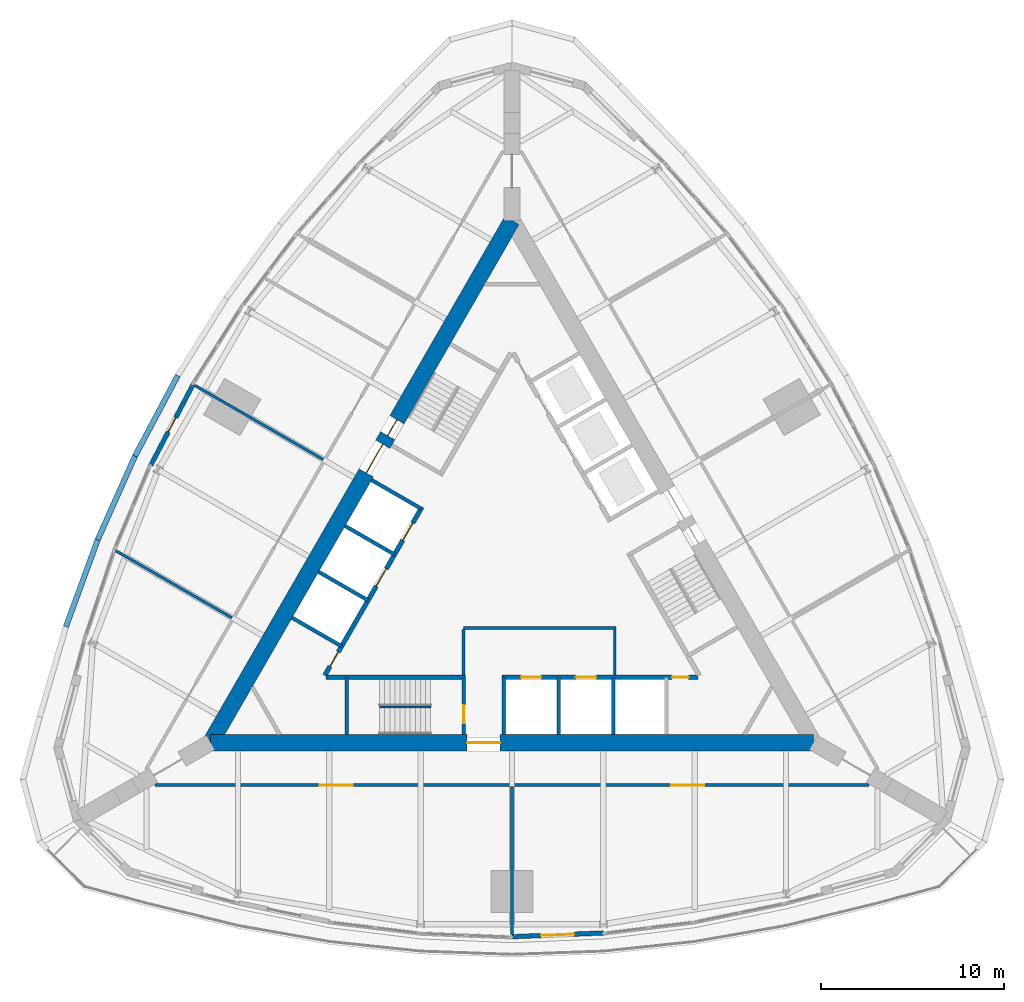
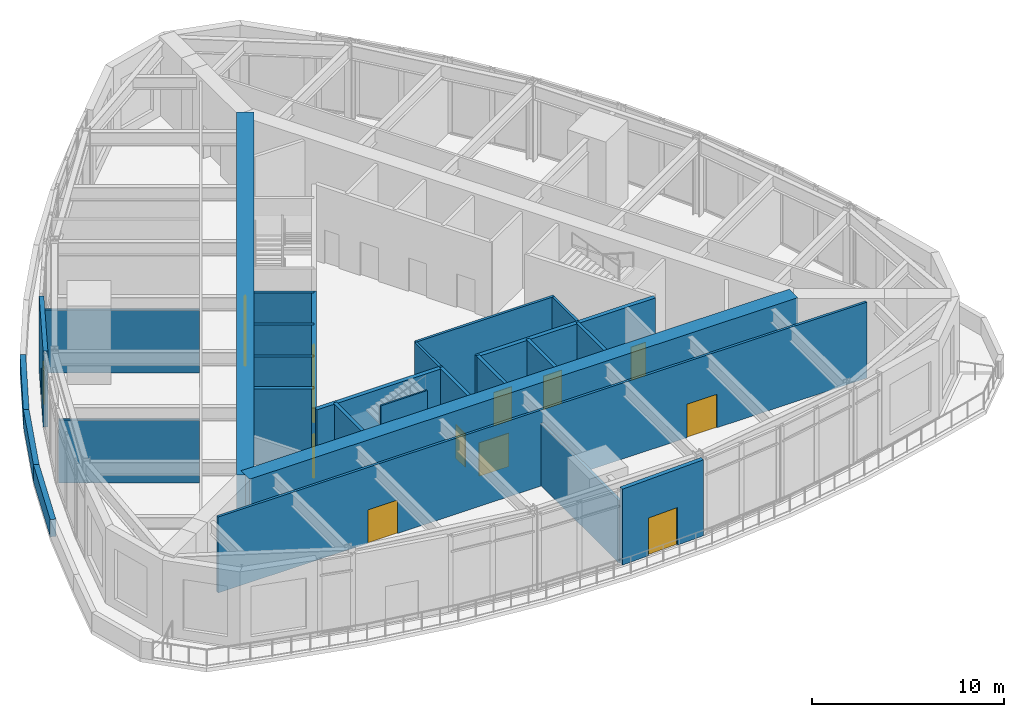
# One storey, part 8 of 13: 27 walls, 14 doors, 14 openings.
"""IFC4 building model written with IfcOpenShell, lengths in metres."""

from ifc_helpers import new_model, si_unit, direction, frame, frame_2d, origin, place, context, subcontext, project, spatial, rectangle, extrude, material, layer, layer_set, type_object, element, fill, save


model = new_model("IFC4")

# Units and contexts
model_context = context("Model", 3, precision=1e-05, world=origin(), true_north=direction((0.0, 1.0)))
body_context = subcontext(model_context, "Body", "Model", "MODEL_VIEW")
ifc_project = project(units=[si_unit("LENGTHUNIT", "METRE"), si_unit("AREAUNIT", "SQUARE_METRE"), si_unit("VOLUMEUNIT", "CUBIC_METRE"), si_unit("PLANEANGLEUNIT", "RADIAN"), si_unit("MASSUNIT", "GRAM", prefix="KILO")], contexts=[model_context])

# Site, building, storey
site_placement = place(None, origin())
site = spatial("IfcSite", under=ifc_project, at=site_placement, CompositionType="ELEMENT")
building_placement = place(site_placement, origin())
building = spatial("IfcBuilding", under=site, at=building_placement, Name="Trikona Tower", CompositionType="ELEMENT")
storey_placement = place(building_placement, frame((0.0, 0.0, 195.89990234375)))
storey = spatial("IfcBuildingStorey", under=building, at=storey_placement, Name="L52", CompositionType="ELEMENT", Elevation=195.89990234375)

# Wall, opening, door
ifc_material_1 = material(Name="Concrete f'c 10000 psi", Category="concrete")
ifc_layer_1 = layer(ifc_material_1, 0.89990234375)
ifc_layer_set_1 = layer_set([ifc_layer_1], Name="Core wall 900")
wall_type_1 = type_object("IfcWallType", Name="Core wall 900", PredefinedType="SHEAR", material=ifc_layer_set_1)
wall_1_placement = place(storey_placement, frame((-16.5, -9.5263671875, 0.0), z_axis=(0.0, 0.0, 1.0), x_axis=(1.0, 0.0, 0.0)))
wall_1 = element("IfcWall", 1, at=wall_1_placement, inside=storey, type_object=wall_type_1, Name="Core wall A", PredefinedType="SHEAR", context=body_context, shape_type="SweptSolid", body=[
    extrude(rectangle(XDim=33.0, YDim=0.89990234375, at=frame_2d((16.5, 0.0))), origin(), (0.0, 0.0, 1.0), 5.0),
])
opening_1_placement = place(wall_1_placement, frame((14.050048828125, 0.0, 0.0)))
opening_1 = element("IfcOpeningElement", 2, at=opening_1_placement, cuts=wall_1, Name="Opening D6", PredefinedType="OPENING", context=body_context, shape_type="SweptSolid", body=[
    extrude(rectangle(XDim=1.800048828125, YDim=2.1298828125, at=frame_2d((0.89990234375, 1.06494140625))), frame((0.0, 0.4599609375, 0.0), z_axis=(0.0, -1.0, 0.0), x_axis=(1.0, 0.0, 0.0)), (0.0, 0.0, 1.0), 0.919921875),
])
ifc_material_2 = material(Name="Hollow metal door and frame", Category="steel")
door_type_1 = type_object("IfcDoorType", Name="Lobby door pair 1800x2130", OperationType="DOUBLE_DOOR_SINGLE_SWING", PredefinedType="DOOR", material=ifc_material_2)
door_1_placement = place(opening_1_placement, origin())
door_1 = element("IfcDoor", 3, at=door_1_placement, inside=storey, type_object=door_type_1, Name="Fire service lift lobby door", OperationType="DOUBLE_DOOR_SINGLE_SWING", OverallHeight=2.1298828125, OverallWidth=1.800048828125, PredefinedType="DOOR", context=body_context, shape_type="SweptSolid", body=[
    extrude(rectangle(XDim=1.800048828125, YDim=2.1298828125, at=frame_2d((0.89990234375, 1.06494140625))), frame((0.0, 0.02490234375, 0.0), z_axis=(0.0, -1.0, 0.0), x_axis=(1.0, 0.0, 0.0)), (0.0, 0.0, 1.0), 0.050048828125),
])
fill(opening_1, door_1)

# Wall, openings, doors
wall_2_placement = place(storey_placement, frame((0.0, 19.052490234375, 0.0), z_axis=(0.0, 0.0, 1.0), x_axis=(-0.499999749417, -0.866025548458, 0.0)))
wall_2 = element("IfcWall", 4, at=wall_2_placement, inside=storey, type_object=wall_type_1, Name="Core wall C", PredefinedType="SHEAR", context=body_context, shape_type="SweptSolid", body=[
    extrude(rectangle(XDim=33.0, YDim=0.89990234375, at=frame_2d((16.5, 0.0))), origin(), (0.0, 0.0, 1.0), 5.0),
])
opening_2_placement = place(wall_2_placement, frame((14.14990234375, 0.0, 0.0)))
opening_2 = element("IfcOpeningElement", 5, at=opening_2_placement, cuts=wall_2, Name="Opening D6", PredefinedType="OPENING", context=body_context, shape_type="SweptSolid", body=[
    extrude(rectangle(XDim=1.800048828125, YDim=2.1298828125, at=frame_2d((0.89990234375, 1.06494140625))), frame((0.0, 0.4599609375, 0.0), z_axis=(0.0, -1.0, 0.0), x_axis=(1.0, 0.0, 0.0)), (0.0, 0.0, 1.0), 0.919921875),
])
opening_3_placement = place(wall_2_placement, frame((12.60009765625, 0.0, 0.0)))
opening_3 = element("IfcOpeningElement", 6, at=opening_3_placement, cuts=wall_2, Name="Opening D5", PredefinedType="OPENING", context=body_context, shape_type="SweptSolid", body=[
    extrude(rectangle(XDim=1.0, YDim=2.1298828125, at=frame_2d((0.5, 1.06494140625))), frame((0.0, 0.4599609375, 0.0), z_axis=(0.0, -1.0, 0.0), x_axis=(1.0, 0.0, 0.0)), (0.0, 0.0, 1.0), 0.919921875),
])
door_2_placement = place(opening_2_placement, origin())
door_2 = element("IfcDoor", 7, at=door_2_placement, inside=storey, type_object=door_type_1, Name="Lift lobby door C", OperationType="DOUBLE_DOOR_SINGLE_SWING", OverallHeight=2.1298828125, OverallWidth=1.800048828125, PredefinedType="DOOR", context=body_context, shape_type="SweptSolid", body=[
    extrude(rectangle(XDim=1.800048828125, YDim=2.1298828125, at=frame_2d((0.89990234375, 1.06494140625))), frame((0.0, 0.02490234375, 0.0), z_axis=(0.0, -1.0, 0.0), x_axis=(1.0, 0.0, 0.0)), (0.0, 0.0, 1.0), 0.050048828125),
])
fill(opening_2, door_2)
ifc_material_3 = material(Name="Hollow metal door and frame", Category="steel")
door_type_2 = type_object("IfcDoorType", Name="Stair door 1000x2130", OperationType="SINGLE_SWING_LEFT", PredefinedType="DOOR", material=ifc_material_3)
door_3_placement = place(opening_3_placement, origin())
door_3 = element("IfcDoor", 8, at=door_3_placement, inside=storey, type_object=door_type_2, Name="Stair C door", OperationType="SINGLE_SWING_RIGHT", OverallHeight=2.1298828125, OverallWidth=1.0, PredefinedType="DOOR", context=body_context, shape_type="SweptSolid", body=[
    extrude(rectangle(XDim=1.0, YDim=2.1298828125, at=frame_2d((0.5, 1.06494140625))), frame((0.0, 0.02490234375, 0.0), z_axis=(0.0, -1.0, 0.0), x_axis=(1.0, 0.0, 0.0)), (0.0, 0.0, 1.0), 0.050048828125),
])
fill(opening_3, door_3)

ifc_material_4 = material(Name="Metal stud and gypsum board, 1-hour", Category="gypsum")
ifc_layer_2 = layer(ifc_material_4, 0.14990234375)
ifc_layer_set_2 = layer_set([ifc_layer_2], Name="Corridor wall 150")
wall_type_2 = type_object("IfcWallType", Name="Corridor wall 150", PredefinedType="PARTITIONING", material=ifc_layer_set_2)
wall_3_placement = place(storey_placement, frame((-19.527099609375, -11.851318359375, 0.0), z_axis=(0.0, 0.0, 1.0), x_axis=(1.0, 0.0, 0.0)))
wall_3 = element("IfcWall", 9, at=wall_3_placement, inside=storey, type_object=wall_type_2, Name="Corridor wall L52-1", PredefinedType="PARTITIONING", context=body_context, shape_type="SweptSolid", body=[
    extrude(rectangle(XDim=39.05419921875, YDim=0.14990234375, at=frame_2d((19.527099609375, 0.0))), origin(), (0.0, 0.0, 1.0), 4.835205078125),
])
opening_4_placement = place(wall_3_placement, frame((9.013427734375, 0.0, 0.0)))
opening_4 = element("IfcOpeningElement", 10, at=opening_4_placement, cuts=wall_3, Name="Opening D4", PredefinedType="OPENING", context=body_context, shape_type="SweptSolid", body=[
    extrude(rectangle(XDim=1.800048828125, YDim=2.1298828125, at=frame_2d((0.89990234375, 1.06494140625))), frame((0.0, 0.0849609375, 0.0), z_axis=(0.0, -1.0, 0.0), x_axis=(1.0, 0.0, 0.0)), (0.0, 0.0, 1.0), 0.169921875),
])
opening_5_placement = place(wall_3_placement, frame((28.240478515625, 0.0, 0.0)))
opening_5 = element("IfcOpeningElement", 11, at=opening_5_placement, cuts=wall_3, Name="Opening D4", PredefinedType="OPENING", context=body_context, shape_type="SweptSolid", body=[
    extrude(rectangle(XDim=1.800048828125, YDim=2.1298828125, at=frame_2d((0.89990234375, 1.06494140625))), frame((0.0, 0.0849609375, 0.0), z_axis=(0.0, -1.0, 0.0), x_axis=(1.0, 0.0, 0.0)), (0.0, 0.0, 1.0), 0.169921875),
])
ifc_material_5 = material(Name="Steel door frame with solid-core timber leaf", Category="steel")
door_type_3 = type_object("IfcDoorType", Name="Assembly door pair 1800x2130", OperationType="DOUBLE_DOOR_SINGLE_SWING", PredefinedType="DOOR", material=ifc_material_5)
door_4_placement = place(opening_4_placement, origin())
door_4 = element("IfcDoor", 12, at=door_4_placement, inside=storey, type_object=door_type_3, Name="Door Spa reception", OperationType="DOUBLE_DOOR_SINGLE_SWING", OverallHeight=2.1298828125, OverallWidth=1.800048828125, PredefinedType="DOOR", context=body_context, shape_type="SweptSolid", body=[
    extrude(rectangle(XDim=1.800048828125, YDim=2.1298828125, at=frame_2d((0.89990234375, 1.06494140625))), frame((0.0, 0.02490234375, 0.0), z_axis=(0.0, -1.0, 0.0), x_axis=(1.0, 0.0, 0.0)), (0.0, 0.0, 1.0), 0.050048828125),
])
fill(opening_4, door_4)
door_5_placement = place(opening_5_placement, origin())
door_5 = element("IfcDoor", 13, at=door_5_placement, inside=storey, type_object=door_type_3, Name="Door Relaxation lounge", OperationType="DOUBLE_DOOR_SINGLE_SWING", OverallHeight=2.1298828125, OverallWidth=1.800048828125, PredefinedType="DOOR", context=body_context, shape_type="SweptSolid", body=[
    extrude(rectangle(XDim=1.800048828125, YDim=2.1298828125, at=frame_2d((0.89990234375, 1.06494140625))), frame((0.0, 0.02490234375, 0.0), z_axis=(0.0, -1.0, 0.0), x_axis=(1.0, 0.0, 0.0)), (0.0, 0.0, 1.0), 0.050048828125),
])
fill(opening_5, door_5)

# Wall
ifc_material_6 = material(Name="Concrete f'c 8000 psi", Category="concrete")
ifc_layer_3 = layer(ifc_material_6, 0.25)
ifc_layer_set_3 = layer_set([ifc_layer_3], Name="Hub wall 250")
wall_type_3 = type_object("IfcWallType", Name="Hub wall 250", PredefinedType="SOLIDWALL", material=ifc_layer_set_3)
wall_4_placement = place(storey_placement, frame((-10.182861328125, -5.951416015625, 0.0), z_axis=(0.0, 0.0, 1.0), x_axis=(1.0, 0.0, 0.0)))
element("IfcWall", 14, at=wall_4_placement, inside=storey, type_object=wall_type_3, Name="Lift lobby wall A1", PredefinedType="SOLIDWALL", context=body_context, shape_type="SweptSolid", body=[
    extrude(rectangle(XDim=7.6328125, YDim=0.25, at=frame_2d((3.81640625, 0.0))), origin(), (0.0, 0.0, 1.0), 4.835205078125),
])

# Wall, openings, doors
wall_5_placement = place(storey_placement, frame((-0.550048828125, -5.951416015625, 0.0), z_axis=(0.0, 0.0, 1.0), x_axis=(1.0, 0.0, 0.0)))
wall_5 = element("IfcWall", 15, at=wall_5_placement, inside=storey, type_object=wall_type_3, Name="Lift lobby wall A2", PredefinedType="SOLIDWALL", context=body_context, shape_type="SweptSolid", body=[
    extrude(rectangle(XDim=10.73291015625, YDim=0.25, at=frame_2d((5.366455078125, 0.0))), origin(), (0.0, 0.0, 1.0), 4.835205078125),
])
opening_6_placement = place(wall_5_placement, frame((9.31396484375, 0.0, 0.0)))
opening_6 = element("IfcOpeningElement", 16, at=opening_6_placement, cuts=wall_5, Name="Opening D14", PredefinedType="OPENING", context=body_context, shape_type="SweptSolid", body=[
    extrude(rectangle(XDim=0.89990234375, YDim=2.1298828125, at=frame_2d((0.449951171875, 1.06494140625))), frame((0.0, 0.135009765625, 0.0), z_axis=(0.0, -1.0, 0.0), x_axis=(1.0, 0.0, 0.0)), (0.0, 0.0, 1.0), 0.27001953125),
])
opening_7_placement = place(wall_5_placement, frame((1.050048828125, 0.0, 0.0)))
opening_7 = element("IfcOpeningElement", 17, at=opening_7_placement, cuts=wall_5, Name="Opening LD", PredefinedType="OPENING", context=body_context, shape_type="SweptSolid", body=[
    extrude(rectangle(XDim=1.10009765625, YDim=2.1298828125, at=frame_2d((0.550048828125, 1.06494140625))), frame((0.0, 0.135009765625, 0.0), z_axis=(0.0, -1.0, 0.0), x_axis=(1.0, 0.0, 0.0)), (0.0, 0.0, 1.0), 0.27001953125),
])
opening_8_placement = place(wall_5_placement, frame((4.050048828125, 0.0, 0.0)))
opening_8 = element("IfcOpeningElement", 18, at=opening_8_placement, cuts=wall_5, Name="Opening LD", PredefinedType="OPENING", context=body_context, shape_type="SweptSolid", body=[
    extrude(rectangle(XDim=1.10009765625, YDim=2.1298828125, at=frame_2d((0.550048828125, 1.06494140625))), frame((0.0, 0.135009765625, 0.0), z_axis=(0.0, -1.0, 0.0), x_axis=(1.0, 0.0, 0.0)), (0.0, 0.0, 1.0), 0.27001953125),
])
ifc_material_7 = material(Name="Stainless steel lift landing door", Category="steel")
door_type_4 = type_object("IfcDoorType", Name="Lift landing door 1100x2130", OperationType="DOUBLE_DOOR_SLIDING", PredefinedType="USERDEFINED", material=ifc_material_7)
door_6_placement = place(opening_7_placement, origin())
door_6 = element("IfcDoor", 19, at=door_6_placement, inside=storey, type_object=door_type_4, Name="Lift landing door FF1", ObjectType="LIFT LANDING DOOR", OperationType="DOUBLE_DOOR_SLIDING", OverallHeight=2.1298828125, OverallWidth=1.10009765625, PredefinedType="USERDEFINED", context=body_context, shape_type="SweptSolid", body=[
    extrude(rectangle(XDim=1.10009765625, YDim=2.1298828125, at=frame_2d((0.550048828125, 1.06494140625))), frame((0.0, 0.02490234375, 0.0), z_axis=(0.0, -1.0, 0.0), x_axis=(1.0, 0.0, 0.0)), (0.0, 0.0, 1.0), 0.050048828125),
])
fill(opening_7, door_6)
door_7_placement = place(opening_8_placement, origin())
door_7 = element("IfcDoor", 20, at=door_7_placement, inside=storey, type_object=door_type_4, Name="Lift landing door FF2", ObjectType="LIFT LANDING DOOR", OperationType="DOUBLE_DOOR_SLIDING", OverallHeight=2.1298828125, OverallWidth=1.10009765625, PredefinedType="USERDEFINED", context=body_context, shape_type="SweptSolid", body=[
    extrude(rectangle(XDim=1.10009765625, YDim=2.1298828125, at=frame_2d((0.550048828125, 1.06494140625))), frame((0.0, 0.02490234375, 0.0), z_axis=(0.0, -1.0, 0.0), x_axis=(1.0, 0.0, 0.0)), (0.0, 0.0, 1.0), 0.050048828125),
])
fill(opening_8, door_7)
ifc_material_8 = material(Name="Hollow metal door and frame", Category="steel")
door_type_5 = type_object("IfcDoorType", Name="Service room door 900x2130", OperationType="SINGLE_SWING_LEFT", PredefinedType="DOOR", material=ifc_material_8)
door_8_placement = place(opening_6_placement, origin())
door_8 = element("IfcDoor", 21, at=door_8_placement, inside=storey, type_object=door_type_5, Name="Door Electrical room ELR", OperationType="SINGLE_SWING_RIGHT", OverallHeight=2.1298828125, OverallWidth=0.89990234375, PredefinedType="DOOR", context=body_context, shape_type="SweptSolid", body=[
    extrude(rectangle(XDim=0.89990234375, YDim=2.1298828125, at=frame_2d((0.449951171875, 1.06494140625))), frame((0.0, 0.02490234375, 0.0), z_axis=(0.0, -1.0, 0.0), x_axis=(1.0, 0.0, 0.0)), (0.0, 0.0, 1.0), 0.050048828125),
])
fill(opening_6, door_8)

wall_6_placement = place(storey_placement, frame((-4.928955078125, 3.365478515625, 0.0), z_axis=(0.0, 0.0, 1.0), x_axis=(-0.499991433582, -0.866030349552, 0.0)))
wall_6 = element("IfcWall", 22, at=wall_6_placement, inside=storey, type_object=wall_type_3, Name="Lift lobby wall C2", PredefinedType="SOLIDWALL", context=body_context, shape_type="SweptSolid", body=[
    extrude(rectangle(XDim=10.633056640625, YDim=0.25, at=frame_2d((5.31640625, 0.0))), origin(), (0.0, 0.0, 1.0), 4.835205078125),
])
opening_9_placement = place(wall_6_placement, frame((9.1640625, 0.0, 0.0)))
opening_9 = element("IfcOpeningElement", 23, at=opening_9_placement, cuts=wall_6, Name="Opening D14", PredefinedType="OPENING", context=body_context, shape_type="SweptSolid", body=[
    extrude(rectangle(XDim=0.89990234375, YDim=2.1298828125, at=frame_2d((0.449951171875, 1.06494140625))), frame((0.0, 0.135009765625, 0.0), z_axis=(0.0, -1.0, 0.0), x_axis=(1.0, 0.0, 0.0)), (0.0, 0.0, 1.0), 0.27001953125),
])
opening_10_placement = place(wall_6_placement, frame((1.0, 0.0, 0.0)))
opening_10 = element("IfcOpeningElement", 24, at=opening_10_placement, cuts=wall_6, Name="Opening LD", PredefinedType="OPENING", context=body_context, shape_type="SweptSolid", body=[
    extrude(rectangle(XDim=1.10009765625, YDim=2.1298828125, at=frame_2d((0.550048828125, 1.06494140625))), frame((0.0, 0.135009765625, 0.0), z_axis=(0.0, -1.0, 0.0), x_axis=(1.0, 0.0, 0.0)), (0.0, 0.0, 1.0), 0.27001953125),
])
opening_11_placement = place(wall_6_placement, frame((3.89990234375, 0.0, 0.0)))
opening_11 = element("IfcOpeningElement", 25, at=opening_11_placement, cuts=wall_6, Name="Opening LD", PredefinedType="OPENING", context=body_context, shape_type="SweptSolid", body=[
    extrude(rectangle(XDim=1.10009765625, YDim=2.1298828125, at=frame_2d((0.550048828125, 1.06494140625))), frame((0.0, 0.135009765625, 0.0), z_axis=(0.0, -1.0, 0.0), x_axis=(1.0, 0.0, 0.0)), (0.0, 0.0, 1.0), 0.27001953125),
])
door_9_placement = place(opening_10_placement, origin())
door_9 = element("IfcDoor", 26, at=door_9_placement, inside=storey, type_object=door_type_4, Name="Lift landing door SH1", ObjectType="LIFT LANDING DOOR", OperationType="DOUBLE_DOOR_SLIDING", OverallHeight=2.1298828125, OverallWidth=1.10009765625, PredefinedType="USERDEFINED", context=body_context, shape_type="SweptSolid", body=[
    extrude(rectangle(XDim=1.10009765625, YDim=2.1298828125, at=frame_2d((0.550048828125, 1.06494140625))), frame((0.0, 0.02490234375, 0.0), z_axis=(0.0, -1.0, 0.0), x_axis=(1.0, 0.0, 0.0)), (0.0, 0.0, 1.0), 0.050048828125),
])
fill(opening_10, door_9)
door_10_placement = place(opening_11_placement, origin())
door_10 = element("IfcDoor", 27, at=door_10_placement, inside=storey, type_object=door_type_4, Name="Lift landing door SH2", ObjectType="LIFT LANDING DOOR", OperationType="DOUBLE_DOOR_SLIDING", OverallHeight=2.1298828125, OverallWidth=1.10009765625, PredefinedType="USERDEFINED", context=body_context, shape_type="SweptSolid", body=[
    extrude(rectangle(XDim=1.10009765625, YDim=2.1298828125, at=frame_2d((0.550048828125, 1.06494140625))), frame((0.0, 0.02490234375, 0.0), z_axis=(0.0, -1.0, 0.0), x_axis=(1.0, 0.0, 0.0)), (0.0, 0.0, 1.0), 0.050048828125),
])
fill(opening_11, door_10)
door_11_placement = place(opening_9_placement, origin())
door_11 = element("IfcDoor", 28, at=door_11_placement, inside=storey, type_object=door_type_5, Name="Door Cleaner's store CLN", OperationType="SINGLE_SWING_RIGHT", OverallHeight=2.1298828125, OverallWidth=0.89990234375, PredefinedType="DOOR", context=body_context, shape_type="SweptSolid", body=[
    extrude(rectangle(XDim=0.89990234375, YDim=2.1298828125, at=frame_2d((0.449951171875, 1.06494140625))), frame((0.0, 0.02490234375, 0.0), z_axis=(0.0, -1.0, 0.0), x_axis=(1.0, 0.0, 0.0)), (0.0, 0.0, 1.0), 0.050048828125),
])
fill(opening_9, door_11)

# Wall, opening, door
ifc_material_9 = material(Name="Insulated precast concrete spandrel panel", Category="concrete")
ifc_layer_4 = layer(ifc_material_9, 0.25)
ifc_layer_set_4 = layer_set([ifc_layer_4], Name="Inner skin wall 250")
wall_type_4 = type_object("IfcWallType", Name="Inner skin wall 250", PredefinedType="STANDARD", material=ifc_layer_set_4)
wall_7_placement = place(storey_placement, frame((-0.005126953125, -20.153076171875, 0.0), z_axis=(0.0, 0.0, 1.0), x_axis=(0.999151909423, 0.041175986892, 0.0)))
wall_7 = element("IfcWall", 29, at=wall_7_placement, inside=storey, type_object=wall_type_4, Name="External wall L52-04", PredefinedType="STANDARD", context=body_context, shape_type="SweptSolid", body=[
    extrude(rectangle(XDim=5.004150390625, YDim=0.25, at=frame_2d((2.501953125, 0.0))), origin(), (0.0, 0.0, 1.0), 4.835205078125),
])
opening_12_placement = place(wall_7_placement, frame((1.60205078125, 0.0, 0.0)))
opening_12 = element("IfcOpeningElement", 30, at=opening_12_placement, cuts=wall_7, Name="Opening D8", PredefinedType="OPENING", context=body_context, shape_type="SweptSolid", body=[
    extrude(rectangle(XDim=1.800048828125, YDim=2.39990234375, at=frame_2d((0.89990234375, 1.199951171875))), frame((0.0, 0.135009765625, 0.0), z_axis=(0.0, -1.0, 0.0), x_axis=(1.0, 0.0, 0.0)), (0.0, 0.0, 1.0), 0.27001953125),
])
ifc_material_10 = material(Name="Aluminium-framed glazed door", Category="aluminium")
door_type_6 = type_object("IfcDoorType", Name="Terrace door pair 1800x2400", OperationType="DOUBLE_DOOR_SINGLE_SWING", PredefinedType="DOOR", material=ifc_material_10)
door_12_placement = place(opening_12_placement, origin())
door_12 = element("IfcDoor", 31, at=door_12_placement, inside=storey, type_object=door_type_6, Name="Terrace door Relaxation lounge", OperationType="DOUBLE_DOOR_SINGLE_SWING", OverallHeight=2.39990234375, OverallWidth=1.800048828125, PredefinedType="DOOR", context=body_context, shape_type="SweptSolid", body=[
    extrude(rectangle(XDim=1.800048828125, YDim=2.39990234375, at=frame_2d((0.89990234375, 1.199951171875))), frame((0.0, 0.02490234375, 0.0), z_axis=(0.0, -1.0, 0.0), x_axis=(1.0, 0.0, 0.0)), (0.0, 0.0, 1.0), 0.050048828125),
])
fill(opening_12, door_12)

wall_8_placement = place(storey_placement, frame((-17.450439453125, 10.080810546875, 0.0), z_axis=(0.0, 0.0, 1.0), x_axis=(-0.463976002579, -0.885847768542, 0.0)))
wall_8 = element("IfcWall", 32, at=wall_8_placement, inside=storey, type_object=wall_type_4, Name="External wall L52-28", PredefinedType="STANDARD", context=body_context, shape_type="SweptSolid", body=[
    extrude(rectangle(XDim=5.004150390625, YDim=0.25, at=frame_2d((2.501953125, 0.0))), origin(), (0.0, 0.0, 1.0), 4.835205078125),
])
opening_13_placement = place(wall_8_placement, frame((2.052001953125, 0.0, 0.0)))
opening_13 = element("IfcOpeningElement", 33, at=opening_13_placement, cuts=wall_8, Name="Opening D17", PredefinedType="OPENING", context=body_context, shape_type="SweptSolid", body=[
    extrude(rectangle(XDim=0.89990234375, YDim=2.1298828125, at=frame_2d((0.449951171875, 1.06494140625))), frame((0.0, 0.135009765625, 0.0), z_axis=(0.0, -1.0, 0.0), x_axis=(1.0, 0.0, 0.0)), (0.0, 0.0, 1.0), 0.27001953125),
])
ifc_material_11 = material(Name="Insulated steel door and frame", Category="steel")
door_type_7 = type_object("IfcDoorType", Name="Maintenance roof access door 900x2130", OperationType="SINGLE_SWING_LEFT", PredefinedType="DOOR", material=ifc_material_11)
door_13_placement = place(opening_13_placement, origin())
door_13 = element("IfcDoor", 34, at=door_13_placement, inside=storey, type_object=door_type_7, Name="Maintenance access door Housekeeping", OperationType="SINGLE_SWING_LEFT", OverallHeight=2.1298828125, OverallWidth=0.89990234375, PredefinedType="DOOR", context=body_context, shape_type="SweptSolid", body=[
    extrude(rectangle(XDim=0.89990234375, YDim=2.1298828125, at=frame_2d((0.449951171875, 1.06494140625))), frame((0.0, 0.02490234375, 0.0), z_axis=(0.0, -1.0, 0.0), x_axis=(1.0, 0.0, 0.0)), (0.0, 0.0, 1.0), 0.050048828125),
])
fill(opening_13, door_13)

# Walls
ifc_material_12 = material(Name="Metal stud and gypsum board, 2-hour shaft wall", Category="gypsum")
ifc_layer_5 = layer(ifc_material_12, 0.14990234375)
ifc_layer_set_5 = layer_set([ifc_layer_5], Name="Lobby wall 150")
wall_type_5 = type_object("IfcWallType", Name="Lobby wall 150", PredefinedType="PARTITIONING", material=ifc_layer_set_5)
wall_9_placement = place(storey_placement, frame((-2.64990234375, -3.251220703125, 0.0), z_axis=(0.0, 0.0, 1.0), x_axis=(1.0, 0.0, 0.0)))
element("IfcWall", 35, at=wall_9_placement, inside=storey, type_object=wall_type_5, Name="Fire service lift lobby wall 1", PredefinedType="PARTITIONING", context=body_context, shape_type="SweptSolid", body=[
    extrude(rectangle(XDim=8.349853515625, YDim=0.14990234375, at=frame_2d((4.1748046875, 0.0))), origin(), (0.0, 0.0, 1.0), 4.835205078125),
])
for number, where, z_axis, x_axis, name in (
    (36, (-2.64990234375, -5.826416015625, 0.0), (0.0, 0.0, 1.0), (0.0, 1.0, 0.0), "Fire service lift lobby wall 2"),
    (37, (5.625, -5.826416015625, 0.0), (0.0, 0.0, 1.0), (0.0, 1.0, 0.0), "Fire service lift lobby wall 3"),
):
    element("IfcWall", number, at=place(storey_placement, frame(where, z_axis=z_axis, x_axis=x_axis)), inside=storey, type_object=wall_type_5, Name=name, PredefinedType="PARTITIONING", context=body_context, shape_type="SweptSolid", body=[
        extrude(rectangle(XDim=2.5, YDim=0.14990234375, at=frame_2d((1.25, 0.0))), origin(), (0.0, 0.0, 1.0), 4.835205078125),
    ])
ifc_material_13 = material(Name="Brick-faced precast concrete", Category="masonry")
ifc_layer_6 = layer(ifc_material_13, 0.300048828125)
ifc_layer_set_6 = layer_set([ifc_layer_6], Name="Parapet wall 300")
wall_type_6 = type_object("IfcWallType", Name="Parapet wall 300", PredefinedType="PARAPET", material=ifc_layer_set_6)
wall_10_placement = place(storey_placement, frame((-24.418212890625, -3.18701171875, 0.0), z_axis=(0.0, 0.0, 1.0), x_axis=(0.343193770581, 0.939264625031, 0.0)))
element("IfcWall", 38, at=wall_10_placement, inside=storey, type_object=wall_type_6, Name="Green roof parapet L52-1-04", PredefinedType="PARAPET", context=body_context, shape_type="SweptSolid", body=[
    extrude(rectangle(XDim=5.065673828125, YDim=0.300048828125, at=frame_2d((2.53271484375, 0.0))), origin(), (0.0, 0.0, 1.0), 1.10009765625),
])
wall_11_placement = place(storey_placement, frame((-22.6796875, 1.571044921875, 0.0), z_axis=(0.0, 0.0, 1.0), x_axis=(0.406847176186, 0.913496237118, 0.0)))
element("IfcWall", 39, at=wall_11_placement, inside=storey, type_object=wall_type_6, Name="Green roof parapet L52-1-05", PredefinedType="PARAPET", context=body_context, shape_type="SweptSolid", body=[
    extrude(rectangle(XDim=5.017333984375, YDim=0.300048828125, at=frame_2d((2.5087890625, 0.0))), origin(), (0.0, 0.0, 1.0), 1.10009765625),
])
wall_12_placement = place(storey_placement, frame((-20.638427734375, 6.154296875, 0.0), z_axis=(0.0, 0.0, 1.0), x_axis=(0.469412641147, 0.882978919528, 0.0)))
element("IfcWall", 40, at=wall_12_placement, inside=storey, type_object=wall_type_6, Name="Green roof parapet L52-1-06", PredefinedType="PARAPET", context=body_context, shape_type="SweptSolid", body=[
    extrude(rectangle(XDim=4.992431640625, YDim=0.300048828125, at=frame_2d((2.49609375, 0.0))), origin(), (0.0, 0.0, 1.0), 1.10009765625),
])
ifc_material_14 = material(Name="Metal stud and gypsum board, 1-hour acoustic", Category="gypsum")
ifc_layer_7 = layer(ifc_material_14, 0.14990234375)
ifc_layer_set_7 = layer_set([ifc_layer_7], Name="Party wall 150")
wall_type_7 = type_object("IfcWallType", Name="Party wall 150", PredefinedType="PARTITIONING", material=ifc_layer_set_7)
for number, where, z_axis, x_axis, name in (
    (41, (0.0, -11.92626953125, 0.0), (0.0, 0.0, 1.0), (0.0, -1.0, 0.0), "Partition L52 F1 u0"),
    (42, (-10.32861328125, 5.963134765625, 0.0), (0.0, 0.0, 1.0), (-0.866016460812, 0.500015489362, 0.0), "Partition L52 F3 u0"),
):
    element("IfcWall", number, at=place(storey_placement, frame(where, z_axis=z_axis, x_axis=x_axis)), inside=storey, type_object=wall_type_7, Name=name, PredefinedType="PARTITIONING", context=body_context, shape_type="SweptSolid", body=[
        extrude(rectangle(XDim=8.101318359375, YDim=0.14990234375, at=frame_2d((4.05078125, 0.0))), origin(), (0.0, 0.0, 1.0), 3.9892578125),
    ])
wall_13_placement = place(storey_placement, frame((-15.32861328125, -2.697021484375, 0.0), z_axis=(0.0, 0.0, 1.0), x_axis=(-0.866032463813, 0.499987771473, 0.0)))
element("IfcWall", 43, at=wall_13_placement, inside=storey, type_object=wall_type_7, Name="Partition L52 F3 u10", PredefinedType="PARTITIONING", context=body_context, shape_type="SweptSolid", body=[
    extrude(rectangle(XDim=7.354736328125, YDim=0.14990234375, at=frame_2d((3.67724609375, 0.0))), origin(), (0.0, 0.0, 1.0), 3.9892578125),
])
ifc_material_15 = material(Name="Concrete f'c 8000 psi", Category="concrete")
ifc_layer_8 = layer(ifc_material_15, 0.199951171875)
ifc_layer_set_8 = layer_set([ifc_layer_8], Name="Shaft wall 200")
wall_type_8 = type_object("IfcWallType", Name="Shaft wall 200", PredefinedType="SOLIDWALL", material=ifc_layer_set_8)
for number, where, z_axis, x_axis, name in (
    (44, (-0.449951171875, -5.951416015625, 0.0), (0.0, 0.0, 1.0), (0.0, -1.0, 0.0), "Shaft wall A3"),
    (45, (2.550048828125, -5.951416015625, 0.0), (0.0, 0.0, 1.0), (0.0, -1.0, 0.0), "Shaft wall A4"),
    (46, (5.550048828125, -5.951416015625, 0.0), (0.0, 0.0, 1.0), (0.0, -1.0, 0.0), "Shaft wall A5"),
    (47, (-4.97900390625, 3.27880859375, 0.0), (0.0, 0.0, 1.0), (-0.866022959057, 0.500004234368, 0.0), "Shaft wall C3"),
    (48, (-6.428955078125, 0.767333984375, 0.0), (0.0, 0.0, 1.0), (-0.866022959057, 0.500004234368, 0.0), "Shaft wall C4"),
    (49, (-7.87890625, -1.744140625, 0.0), (0.0, 0.0, 1.0), (-0.866022959057, 0.500004234368, 0.0), "Shaft wall C5"),
    (50, (-9.3291015625, -4.255615234375, 0.0), (0.0, 0.0, 1.0), (-0.866022959057, 0.500004234368, 0.0), "Shaft wall C6"),
):
    element("IfcWall", number, at=place(storey_placement, frame(where, z_axis=z_axis, x_axis=x_axis)), inside=storey, type_object=wall_type_8, Name=name, PredefinedType="SOLIDWALL", context=body_context, shape_type="SweptSolid", body=[
        extrude(rectangle(XDim=3.125, YDim=0.199951171875, at=frame_2d((1.5625, 0.0))), origin(), (0.0, 0.0, 1.0), 4.835205078125),
    ])
ifc_material_16 = material(Name="Concrete f'c 8000 psi", Category="concrete")
ifc_layer_9 = layer(ifc_material_16, 0.199951171875)
ifc_layer_set_9 = layer_set([ifc_layer_9], Name="Shaft wall 200 load-bearing")
wall_type_9 = type_object("IfcWallType", Name="Shaft wall 200 load-bearing", PredefinedType="SOLIDWALL", material=ifc_layer_set_9)
wall_14_placement = place(storey_placement, frame((-9.050048828125, -5.951416015625, 0.0), z_axis=(0.0, 0.0, 1.0), x_axis=(0.0, -1.0, 0.0)))
element("IfcWall", 51, at=wall_14_placement, inside=storey, type_object=wall_type_9, Name="Shaft wall A1", PredefinedType="SOLIDWALL", context=body_context, shape_type="SweptSolid", body=[
    extrude(rectangle(XDim=3.125, YDim=0.199951171875, at=frame_2d((1.5625, 0.0))), origin(), (0.0, 0.0, 1.0), 4.835205078125),
])

# Wall, opening, door
wall_15_placement = place(storey_placement, frame((-2.64990234375, -5.951416015625, 0.0), z_axis=(0.0, 0.0, 1.0), x_axis=(0.0, -1.0, 0.0)))
wall_15 = element("IfcWall", 52, at=wall_15_placement, inside=storey, type_object=wall_type_9, Name="Shaft wall A2", PredefinedType="SOLIDWALL", context=body_context, shape_type="SweptSolid", body=[
    extrude(rectangle(XDim=3.125, YDim=0.199951171875, at=frame_2d((1.5625, 0.0))), origin(), (0.0, 0.0, 1.0), 4.835205078125),
])
opening_14_placement = place(wall_15_placement, frame((1.52490234375, 0.0, 0.0)))
opening_14 = element("IfcOpeningElement", 53, at=opening_14_placement, cuts=wall_15, Name="Opening D5", PredefinedType="OPENING", context=body_context, shape_type="SweptSolid", body=[
    extrude(rectangle(XDim=1.0, YDim=2.1298828125, at=frame_2d((0.5, 1.06494140625))), frame((0.0, 0.10986328125, 0.0), z_axis=(0.0, -1.0, 0.0), x_axis=(1.0, 0.0, 0.0)), (0.0, 0.0, 1.0), 0.219970703125),
])
door_14_placement = place(opening_14_placement, origin())
door_14 = element("IfcDoor", 54, at=door_14_placement, inside=storey, type_object=door_type_2, Name="Stair A door", OperationType="SINGLE_SWING_RIGHT", OverallHeight=2.1298828125, OverallWidth=1.0, PredefinedType="DOOR", context=body_context, shape_type="SweptSolid", body=[
    extrude(rectangle(XDim=1.0, YDim=2.1298828125, at=frame_2d((0.5, 1.06494140625))), frame((0.0, 0.02490234375, 0.0), z_axis=(0.0, -1.0, 0.0), x_axis=(1.0, 0.0, 0.0)), (0.0, 0.0, 1.0), 0.050048828125),
])
fill(opening_14, door_14)

# Wall
ifc_material_17 = material(Name="Concrete f'c 5000 psi", Category="concrete")
ifc_layer_10 = layer(ifc_material_17, 0.10009765625)
ifc_layer_set_10 = layer_set([ifc_layer_10], Name="Stair spine wall 100")
wall_type_10 = type_object("IfcWallType", Name="Stair spine wall 100", PredefinedType="SOLIDWALL", material=ifc_layer_set_10)
wall_16_placement = place(storey_placement, frame((-7.2470703125, -7.576416015625, 0.0), z_axis=(0.0, 0.0, 1.0), x_axis=(1.0, 0.0, 0.0)))
element("IfcWall", 55, at=wall_16_placement, inside=storey, type_object=wall_type_10, Name="Stair A spine wall L52", PredefinedType="SOLIDWALL", context=body_context, shape_type="SweptSolid", body=[
    extrude(rectangle(XDim=2.794189453125, YDim=0.10009765625, at=frame_2d((1.39697265625, 0.0))), origin(), (0.0, 0.0, 1.0), 5.0),
])

save(model, "model.ifc")
